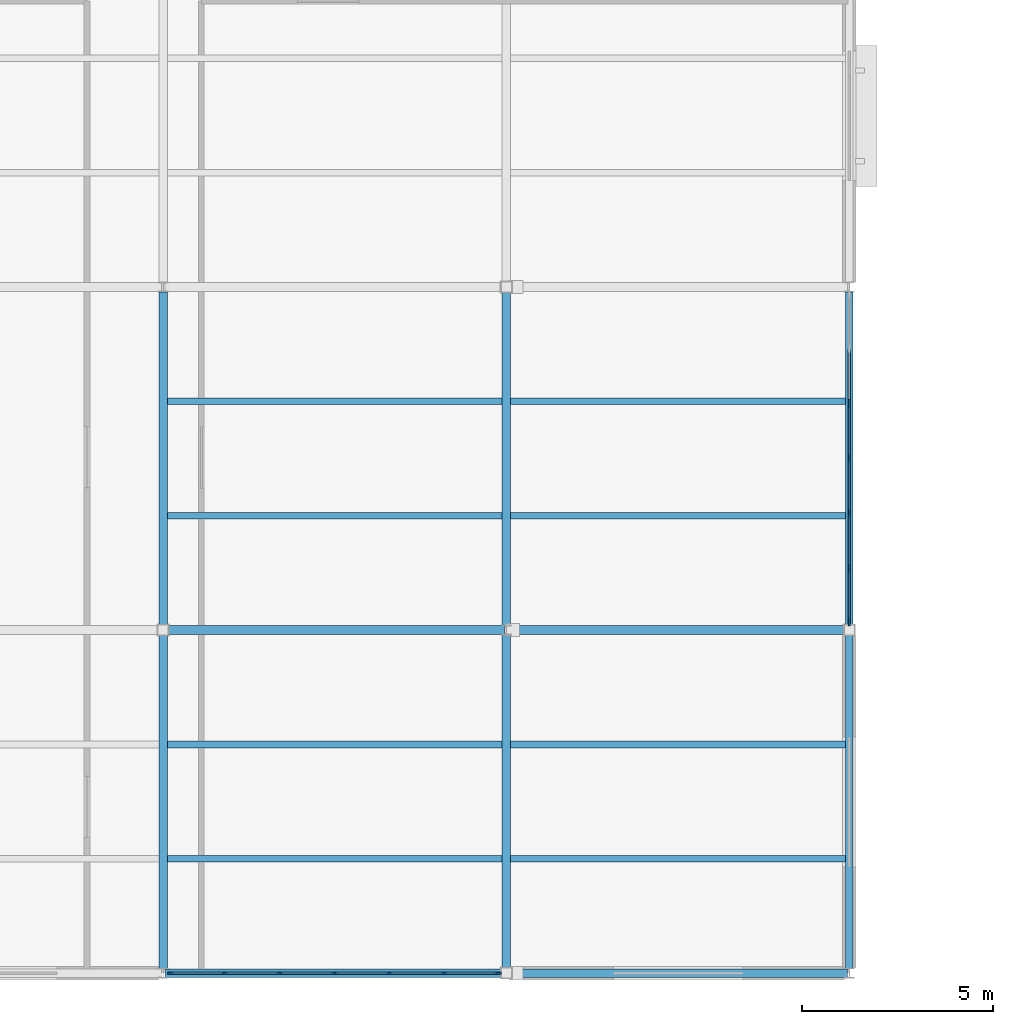
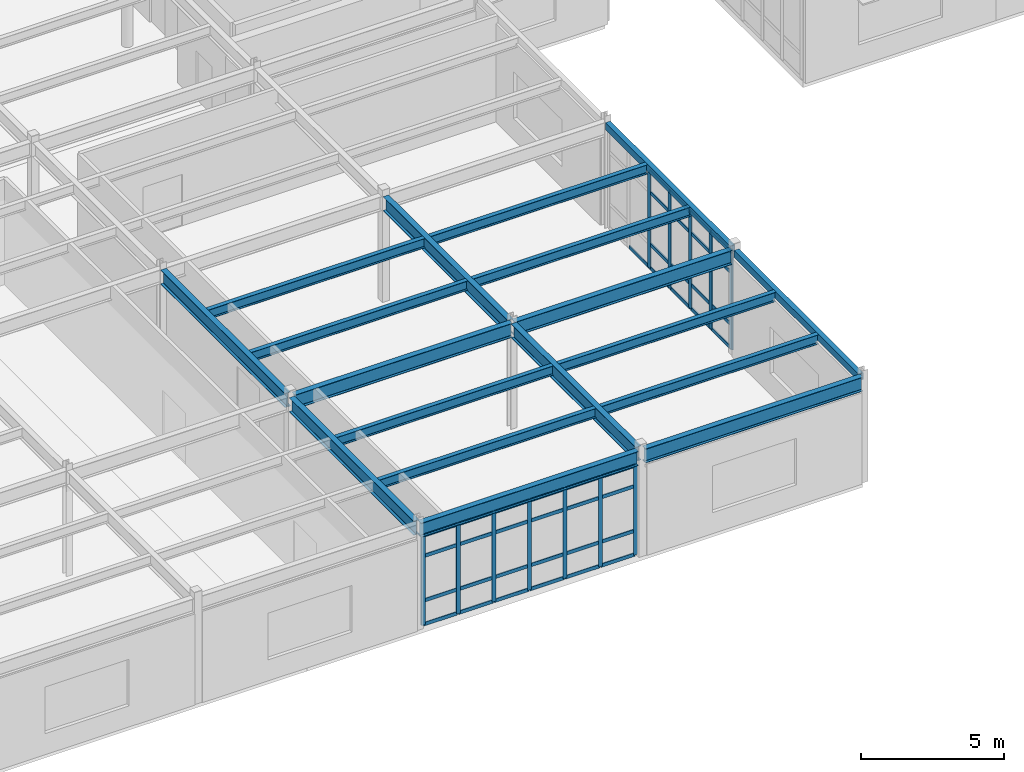
# One storey, part 26 of 84: 53 members, 18 beams, 2 elements without a shape of their own.
"""IFC4 building model written with IfcOpenShell, lengths in metres."""

from ifc_helpers import new_model, si_unit, direction, frame, origin, origin_2d, place, context, subcontext, project, spatial, rectangle, hollow_rectangle, i_section, extrude, material, material_profile, profile_set, type_object, element, aggregate, save


model = new_model("IFC4")

# Units and contexts
model_context = context("Model", 3, precision=1e-05, world=origin(), true_north=direction((0.0, 1.0)))
body_context = subcontext(model_context, "Body", "Model", "MODEL_VIEW")
ifc_project = project(units=[si_unit("LENGTHUNIT", "METRE"), si_unit("AREAUNIT", "SQUARE_METRE"), si_unit("VOLUMEUNIT", "CUBIC_METRE"), si_unit("PLANEANGLEUNIT", "RADIAN"), si_unit("MASSUNIT", "GRAM", prefix="KILO")], contexts=[model_context])

# Site, building, storey
site_placement = place(None, origin())
site = spatial("IfcSite", under=ifc_project, at=site_placement, CompositionType="ELEMENT")
building_placement = place(site_placement, origin())
building = spatial("IfcBuilding", under=site, at=building_placement, Name="Glasvene Arena", CompositionType="ELEMENT")
storey_placement = place(building_placement, frame((0.0, 0.0, 10.199951171875)))
storey = spatial("IfcBuildingStorey", under=building, at=storey_placement, Name="L02", CompositionType="ELEMENT", Elevation=10.199951171875)

# Beams
ifc_material_1 = material(Name="Steel S355J2", Category="steel")
ifc_material_profile_1 = material_profile(ifc_material_1, i_section(OverallWidth=0.228271484375, OverallDepth=0.607666015625, WebThickness=0.010986328125, FlangeThickness=0.017333984375, FilletRadius=0.0126953125, at=origin_2d()), Name="UKB 610x229x113")
ifc_profile_set_1 = profile_set([ifc_material_profile_1], Name="Steel S355J2")
beam_type_1 = type_object("IfcBeamType", Name="BM-GIRD-610", PredefinedType="BEAM", material=ifc_profile_set_1)
for number, where, z_axis, x_axis, name in (
    (1, (36.050048828125, 0.0, 4.21630859375), (1.0, 0.0, 0.0), (0.0, 1.0, 0.0), "Primary X girder L02-0783"),
    (2, (45.14501953125, 0.0, 4.21630859375), (1.0, 0.0, 0.0), (0.0, 1.0, 0.0), "Primary X girder L02-0784"),
    (3, (36.14501953125, 9.0, 4.21630859375), (1.0, 0.0, 0.0), (0.0, 1.0, 0.0), "Primary X girder L02-0789"),
    (4, (45.050048828125, 9.0, 4.21630859375), (1.0, 0.0, 0.0), (0.0, 1.0, 0.0), "Primary X girder L02-0790"),
):
    element("IfcBeam", number, at=place(storey_placement, frame(where, z_axis=z_axis, x_axis=x_axis)), inside=storey, type_object=beam_type_1, Name=name, PredefinedType="BEAM", context=body_context, shape_type="SweptSolid", body=[
        extrude(i_section(OverallWidth=0.228271484375, OverallDepth=0.607666015625, WebThickness=0.010986328125, FlangeThickness=0.017333984375, FilletRadius=0.0126953125, at=origin_2d()), origin(), (0.0, 0.0, 1.0), 8.804931640625),
    ])
beam_1_placement = place(storey_placement, frame((36.0, 0.125, 4.21630859375), z_axis=(0.0, 1.0, 0.0), x_axis=(-1.0, 0.0, 0.0)))
element("IfcBeam", 5, at=beam_1_placement, inside=storey, type_object=beam_type_1, Name="Primary Y girder L02-0863", PredefinedType="BEAM", context=body_context, shape_type="SweptSolid", body=[
    extrude(i_section(OverallWidth=0.228271484375, OverallDepth=0.607666015625, WebThickness=0.010986328125, FlangeThickness=0.017333984375, FilletRadius=0.0126953125, at=origin_2d()), origin(), (0.0, 0.0, 1.0), 8.72998046875),
])
beam_2_placement = place(storey_placement, frame((36.0, 9.14501953125, 4.21630859375), z_axis=(0.0, 1.0, 0.0), x_axis=(-1.0, 0.0, 0.0)))
element("IfcBeam", 6, at=beam_2_placement, inside=storey, type_object=beam_type_1, Name="Primary Y girder L02-0864", PredefinedType="BEAM", context=body_context, shape_type="SweptSolid", body=[
    extrude(i_section(OverallWidth=0.228271484375, OverallDepth=0.607666015625, WebThickness=0.010986328125, FlangeThickness=0.017333984375, FilletRadius=0.0126953125, at=origin_2d()), origin(), (0.0, 0.0, 1.0), 8.729736328125),
])
for number, where, z_axis, x_axis, name in (
    (7, (45.0, 0.14501953125, 4.21630859375), (0.0, 1.0, 0.0), (-1.0, 0.0, 0.0), "Primary Y girder L02-0869"),
    (8, (45.0, 9.125, 4.21630859375), (0.0, 1.0, 0.0), (-1.0, 0.0, 0.0), "Primary Y girder L02-0870"),
):
    element("IfcBeam", number, at=place(storey_placement, frame(where, z_axis=z_axis, x_axis=x_axis)), inside=storey, type_object=beam_type_1, Name=name, PredefinedType="BEAM", context=body_context, shape_type="SweptSolid", body=[
        extrude(i_section(OverallWidth=0.228271484375, OverallDepth=0.607666015625, WebThickness=0.010986328125, FlangeThickness=0.017333984375, FilletRadius=0.0126953125, at=origin_2d()), origin(), (0.0, 0.0, 1.0), 8.72998046875),
    ])
ifc_material_profile_2 = material_profile(ifc_material_1, i_section(OverallWidth=0.177978515625, OverallDepth=0.406494140625, WebThickness=0.0078125, FlangeThickness=0.0126953125, FilletRadius=0.01025390625, at=origin_2d()), Name="UKB 406x178x60")
ifc_profile_set_2 = profile_set([ifc_material_profile_2], Name="Steel S355J2")
beam_type_2 = type_object("IfcBeamType", Name="BM-JOIST-406", PredefinedType="JOIST", material=ifc_profile_set_2)
for number, where, z_axis, x_axis, name in (
    (9, (36.110107421875, 3.0, 4.31689453125), (1.0, 0.0, 0.0), (0.0, 1.0, 0.0), "Composite floor joist L02-0921"),
    (10, (36.110107421875, 6.0, 4.31689453125), (1.0, 0.0, 0.0), (0.0, 1.0, 0.0), "Composite floor joist L02-0922"),
    (11, (36.110107421875, 12.0, 4.31689453125), (1.0, 0.0, 0.0), (0.0, 1.0, 0.0), "Composite floor joist L02-0923"),
    (12, (36.110107421875, 15.0, 4.31689453125), (1.0, 0.0, 0.0), (0.0, 1.0, 0.0), "Composite floor joist L02-0924"),
):
    element("IfcBeam", number, at=place(storey_placement, frame(where, z_axis=z_axis, x_axis=x_axis)), inside=storey, type_object=beam_type_2, Name=name, PredefinedType="JOIST", context=body_context, shape_type="SweptSolid", body=[
        extrude(i_section(OverallWidth=0.177978515625, OverallDepth=0.406494140625, WebThickness=0.0078125, FlangeThickness=0.0126953125, FilletRadius=0.01025390625, at=origin_2d()), origin(), (0.0, 0.0, 1.0), 8.77978515625),
    ])
for number, where, z_axis, x_axis, name in (
    (13, (45.110107421875, 3.0, 4.31689453125), (1.0, 0.0, 0.0), (0.0, 1.0, 0.0), "Composite floor joist L02-0931"),
    (14, (45.110107421875, 6.0, 4.31689453125), (1.0, 0.0, 0.0), (0.0, 1.0, 0.0), "Composite floor joist L02-0932"),
    (15, (45.110107421875, 12.0, 4.31689453125), (1.0, 0.0, 0.0), (0.0, 1.0, 0.0), "Composite floor joist L02-0933"),
    (16, (45.110107421875, 15.0, 4.31689453125), (1.0, 0.0, 0.0), (0.0, 1.0, 0.0), "Composite floor joist L02-0934"),
):
    element("IfcBeam", number, at=place(storey_placement, frame(where, z_axis=z_axis, x_axis=x_axis)), inside=storey, type_object=beam_type_2, Name=name, PredefinedType="JOIST", context=body_context, shape_type="SweptSolid", body=[
        extrude(i_section(OverallWidth=0.177978515625, OverallDepth=0.406494140625, WebThickness=0.0078125, FlangeThickness=0.0126953125, FilletRadius=0.01025390625, at=origin_2d()), origin(), (0.0, 0.0, 1.0), 8.7939453125),
    ])
ifc_material_profile_3 = material_profile(ifc_material_1, hollow_rectangle(XDim=0.199951171875, YDim=0.300048828125, WallThickness=0.012451171875, at=origin_2d()), Name="RHS 300x200x12.5")
ifc_profile_set_3 = profile_set([ifc_material_profile_3], Name="Steel S355J2")
beam_type_3 = type_object("IfcBeamType", Name="BM-SPAND-300", PredefinedType="SPANDREL", material=ifc_profile_set_3)
beam_3_placement = place(storey_placement, frame((54.0, 0.125, 4.3701171875), z_axis=(0.0, 1.0, 0.0), x_axis=(-1.0, 0.0, 0.0)))
element("IfcBeam", 17, at=beam_3_placement, inside=storey, type_object=beam_type_3, Name="Primary Y girder L02-0874", PredefinedType="SPANDREL", context=body_context, shape_type="SweptSolid", body=[
    extrude(hollow_rectangle(XDim=0.199951171875, YDim=0.300048828125, WallThickness=0.012451171875, at=origin_2d()), origin(), (0.0, 0.0, 1.0), 8.72998046875),
])
beam_4_placement = place(storey_placement, frame((54.0, 9.14501953125, 4.3701171875), z_axis=(0.0, 1.0, 0.0), x_axis=(-1.0, 0.0, 0.0)))
element("IfcBeam", 18, at=beam_4_placement, inside=storey, type_object=beam_type_3, Name="Primary Y girder L02-0875", PredefinedType="SPANDREL", context=body_context, shape_type="SweptSolid", body=[
    extrude(hollow_rectangle(XDim=0.199951171875, YDim=0.300048828125, WallThickness=0.012451171875, at=origin_2d()), origin(), (0.0, 0.0, 1.0), 8.729736328125),
])

# Curtain wall, members
ifc_material_2 = material(Name="Low-emissivity laminated double glazing", Category="glass")
curtain_wall_type_1 = type_object("IfcCurtainWallType", Name="CW-FAC-L02-864x385", PredefinedType="USERDEFINED", material=ifc_material_2)
curtain_wall_1_placement = place(storey_placement, frame((44.80810546875, 0.0, 0.0)))
curtain_wall_1 = element("IfcCurtainWall", 19, at=curtain_wall_1_placement, inside=storey, type_object=curtain_wall_type_1, Name="Unitised curtain wall CW-F-L02-150-405-0-70", ObjectType="CURTAIN WALL", PredefinedType="USERDEFINED")
ifc_material_3 = material(Name="Anodised architectural aluminium", Category="aluminium")
ifc_material_profile_4 = material_profile(ifc_material_3, rectangle(XDim=0.050048828125, YDim=0.159912109375, at=origin_2d()), Name="ALU MULLION 50x160")
ifc_profile_set_4 = profile_set([ifc_material_profile_4], Name="Anodised architectural aluminium")
member_type_1 = type_object("IfcMemberType", Name="CW-MUL-150", PredefinedType="MULLION", material=ifc_profile_set_4)
member_1_placement = place(storey_placement, frame((44.782958984375, 0.0, 0.06005859375), z_axis=(0.0, 0.0, 1.0), x_axis=(0.0, -1.0, 0.0)))
member_1 = element("IfcMember", 20, at=member_1_placement, type_object=member_type_1, Name="CW-030 mullion 1", PredefinedType="MULLION", context=body_context, shape_type="SweptSolid", body=[
    extrude(rectangle(XDim=0.050048828125, YDim=0.159912109375, at=origin_2d()), origin(), (0.0, 0.0, 1.0), 3.846923828125),
])
member_2_placement = place(storey_placement, frame((43.368408203125, 0.0, 0.06005859375), z_axis=(0.0, 0.0, 1.0), x_axis=(0.0, -1.0, 0.0)))
member_2 = element("IfcMember", 21, at=member_2_placement, type_object=member_type_1, Name="CW-030 mullion 2", PredefinedType="MULLION", context=body_context, shape_type="SweptSolid", body=[
    extrude(rectangle(XDim=0.050048828125, YDim=0.159912109375, at=origin_2d()), origin(), (0.0, 0.0, 1.0), 3.846923828125),
])
member_3_placement = place(storey_placement, frame((41.9287109375, 0.0, 0.06005859375), z_axis=(0.0, 0.0, 1.0), x_axis=(0.0, -1.0, 0.0)))
member_3 = element("IfcMember", 22, at=member_3_placement, type_object=member_type_1, Name="CW-030 mullion 3", PredefinedType="MULLION", context=body_context, shape_type="SweptSolid", body=[
    extrude(rectangle(XDim=0.050048828125, YDim=0.159912109375, at=origin_2d()), origin(), (0.0, 0.0, 1.0), 3.846923828125),
])
member_4_placement = place(storey_placement, frame((40.489013671875, 0.0, 0.06005859375), z_axis=(0.0, 0.0, 1.0), x_axis=(0.0, -1.0, 0.0)))
member_4 = element("IfcMember", 23, at=member_4_placement, type_object=member_type_1, Name="CW-030 mullion 4", PredefinedType="MULLION", context=body_context, shape_type="SweptSolid", body=[
    extrude(rectangle(XDim=0.050048828125, YDim=0.159912109375, at=origin_2d()), origin(), (0.0, 0.0, 1.0), 3.846923828125),
])
member_5_placement = place(storey_placement, frame((39.049560546875, 0.0, 0.06005859375), z_axis=(0.0, 0.0, 1.0), x_axis=(0.0, -1.0, 0.0)))
member_5 = element("IfcMember", 24, at=member_5_placement, type_object=member_type_1, Name="CW-030 mullion 5", PredefinedType="MULLION", context=body_context, shape_type="SweptSolid", body=[
    extrude(rectangle(XDim=0.050048828125, YDim=0.159912109375, at=origin_2d()), origin(), (0.0, 0.0, 1.0), 3.846923828125),
])
member_6_placement = place(storey_placement, frame((37.60986328125, 0.0, 0.06005859375), z_axis=(0.0, 0.0, 1.0), x_axis=(0.0, -1.0, 0.0)))
member_6 = element("IfcMember", 25, at=member_6_placement, type_object=member_type_1, Name="CW-030 mullion 6", PredefinedType="MULLION", context=body_context, shape_type="SweptSolid", body=[
    extrude(rectangle(XDim=0.050048828125, YDim=0.159912109375, at=origin_2d()), origin(), (0.0, 0.0, 1.0), 3.846923828125),
])
member_7_placement = place(storey_placement, frame((36.1953125, 0.0, 0.06005859375), z_axis=(0.0, 0.0, 1.0), x_axis=(0.0, -1.0, 0.0)))
member_7 = element("IfcMember", 26, at=member_7_placement, type_object=member_type_1, Name="CW-030 mullion 7", PredefinedType="MULLION", context=body_context, shape_type="SweptSolid", body=[
    extrude(rectangle(XDim=0.050048828125, YDim=0.159912109375, at=origin_2d()), origin(), (0.0, 0.0, 1.0), 3.846923828125),
])

curtain_wall_type_2 = type_object("IfcCurtainWallType", Name="CW-FAC-L02-864x416", PredefinedType="USERDEFINED", material=ifc_material_2)
curtain_wall_2_placement = place(storey_placement, frame((54.0, 17.827880859375, 0.0)))
curtain_wall_2 = element("IfcCurtainWall", 27, at=curtain_wall_2_placement, inside=storey, type_object=curtain_wall_type_2, Name="Unitised curtain wall CW-F-L02-180-540-135-67", ObjectType="CURTAIN WALL", PredefinedType="USERDEFINED")
ifc_material_profile_5 = material_profile(ifc_material_3, rectangle(XDim=0.050048828125, YDim=0.199951171875, at=origin_2d()), Name="ALU MULLION 50x200")
ifc_profile_set_5 = profile_set([ifc_material_profile_5], Name="Anodised architectural aluminium")
member_type_2 = type_object("IfcMemberType", Name="CW-MUL-180", PredefinedType="MULLION", material=ifc_profile_set_5)
member_8_placement = place(storey_placement, frame((54.0, 14.94921875, 0.06005859375), z_axis=(0.0, 0.0, 1.0), x_axis=(1.0, 0.0, 0.0)))
member_8 = element("IfcMember", 28, at=member_8_placement, type_object=member_type_2, Name="CW-029 mullion 3", PredefinedType="MULLION", context=body_context, shape_type="SweptSolid", body=[
    extrude(rectangle(XDim=0.050048828125, YDim=0.199951171875, at=origin_2d()), origin(), (0.0, 0.0, 1.0), 4.155029296875),
])
member_9_placement = place(storey_placement, frame((54.0, 13.510009765625, 0.06005859375), z_axis=(0.0, 0.0, 1.0), x_axis=(1.0, 0.0, 0.0)))
member_9 = element("IfcMember", 29, at=member_9_placement, type_object=member_type_2, Name="CW-029 mullion 4", PredefinedType="MULLION", context=body_context, shape_type="SweptSolid", body=[
    extrude(rectangle(XDim=0.050048828125, YDim=0.199951171875, at=origin_2d()), origin(), (0.0, 0.0, 1.0), 4.155029296875),
])
member_10_placement = place(storey_placement, frame((54.0, 12.070556640625, 0.06005859375), z_axis=(0.0, 0.0, 1.0), x_axis=(1.0, 0.0, 0.0)))
member_10 = element("IfcMember", 30, at=member_10_placement, type_object=member_type_2, Name="CW-029 mullion 5", PredefinedType="MULLION", context=body_context, shape_type="SweptSolid", body=[
    extrude(rectangle(XDim=0.050048828125, YDim=0.199951171875, at=origin_2d()), origin(), (0.0, 0.0, 1.0), 4.155029296875),
])
member_11_placement = place(storey_placement, frame((54.0, 10.63134765625, 0.06005859375), z_axis=(0.0, 0.0, 1.0), x_axis=(1.0, 0.0, 0.0)))
member_11 = element("IfcMember", 31, at=member_11_placement, type_object=member_type_2, Name="CW-029 mullion 6", PredefinedType="MULLION", context=body_context, shape_type="SweptSolid", body=[
    extrude(rectangle(XDim=0.050048828125, YDim=0.199951171875, at=origin_2d()), origin(), (0.0, 0.0, 1.0), 4.155029296875),
])
member_12_placement = place(storey_placement, frame((54.0, 9.217041015625, 0.06005859375), z_axis=(0.0, 0.0, 1.0), x_axis=(1.0, 0.0, 0.0)))
member_12 = element("IfcMember", 32, at=member_12_placement, type_object=member_type_2, Name="CW-029 mullion 7", PredefinedType="MULLION", context=body_context, shape_type="SweptSolid", body=[
    extrude(rectangle(XDim=0.050048828125, YDim=0.199951171875, at=origin_2d()), origin(), (0.0, 0.0, 1.0), 4.155029296875),
])
ifc_material_profile_6 = material_profile(ifc_material_3, rectangle(XDim=0.050048828125, YDim=0.14990234375, at=origin_2d()), Name="ALU TRANSOM 50x150")
ifc_profile_set_6 = profile_set([ifc_material_profile_6], Name="Anodised architectural aluminium")
member_type_3 = type_object("IfcMemberType", Name="CW-TRN-150", PredefinedType="USERDEFINED", material=ifc_profile_set_6)
member_13_placement = place(storey_placement, frame((54.0, 16.363525390625, 0.0849609375), z_axis=(0.0, -1.0, 0.0), x_axis=(1.0, 0.0, 0.0)))
member_13 = element("IfcMember", 33, at=member_13_placement, type_object=member_type_3, Name="CW-029 transom 2.1", ObjectType="TRANSOM", PredefinedType="USERDEFINED", context=body_context, shape_type="SweptSolid", body=[
    extrude(rectangle(XDim=0.050048828125, YDim=0.14990234375, at=origin_2d()), origin(), (0.0, 0.0, 1.0), 1.38916015625),
])
member_14_placement = place(storey_placement, frame((54.0, 14.92431640625, 0.0849609375), z_axis=(0.0, -1.0, 0.0), x_axis=(1.0, 0.0, 0.0)))
member_14 = element("IfcMember", 34, at=member_14_placement, type_object=member_type_3, Name="CW-029 transom 3.1", ObjectType="TRANSOM", PredefinedType="USERDEFINED", context=body_context, shape_type="SweptSolid", body=[
    extrude(rectangle(XDim=0.050048828125, YDim=0.14990234375, at=origin_2d()), origin(), (0.0, 0.0, 1.0), 1.389404296875),
])
member_15_placement = place(storey_placement, frame((54.0, 14.92431640625, 1.10009765625), z_axis=(0.0, -1.0, 0.0), x_axis=(1.0, 0.0, 0.0)))
member_15 = element("IfcMember", 35, at=member_15_placement, type_object=member_type_3, Name="CW-029 transom 3.2", ObjectType="TRANSOM", PredefinedType="USERDEFINED", context=body_context, shape_type="SweptSolid", body=[
    extrude(rectangle(XDim=0.050048828125, YDim=0.14990234375, at=origin_2d()), origin(), (0.0, 0.0, 1.0), 1.389404296875),
])
member_16_placement = place(storey_placement, frame((54.0, 14.92431640625, 3.31494140625), z_axis=(0.0, -1.0, 0.0), x_axis=(1.0, 0.0, 0.0)))
member_16 = element("IfcMember", 36, at=member_16_placement, type_object=member_type_3, Name="CW-029 transom 3.3", ObjectType="TRANSOM", PredefinedType="USERDEFINED", context=body_context, shape_type="SweptSolid", body=[
    extrude(rectangle(XDim=0.050048828125, YDim=0.14990234375, at=origin_2d()), origin(), (0.0, 0.0, 1.0), 1.389404296875),
])
member_17_placement = place(storey_placement, frame((54.0, 14.92431640625, 4.18994140625), z_axis=(0.0, -1.0, 0.0), x_axis=(1.0, 0.0, 0.0)))
member_17 = element("IfcMember", 37, at=member_17_placement, type_object=member_type_3, Name="CW-029 transom 3.4", ObjectType="TRANSOM", PredefinedType="USERDEFINED", context=body_context, shape_type="SweptSolid", body=[
    extrude(rectangle(XDim=0.050048828125, YDim=0.14990234375, at=origin_2d()), origin(), (0.0, 0.0, 1.0), 1.389404296875),
])
member_18_placement = place(storey_placement, frame((54.0, 13.48486328125, 0.0849609375), z_axis=(0.0, -1.0, 0.0), x_axis=(1.0, 0.0, 0.0)))
member_18 = element("IfcMember", 38, at=member_18_placement, type_object=member_type_3, Name="CW-029 transom 4.1", ObjectType="TRANSOM", PredefinedType="USERDEFINED", context=body_context, shape_type="SweptSolid", body=[
    extrude(rectangle(XDim=0.050048828125, YDim=0.14990234375, at=origin_2d()), origin(), (0.0, 0.0, 1.0), 1.38916015625),
])
member_19_placement = place(storey_placement, frame((54.0, 13.48486328125, 1.10009765625), z_axis=(0.0, -1.0, 0.0), x_axis=(1.0, 0.0, 0.0)))
member_19 = element("IfcMember", 39, at=member_19_placement, type_object=member_type_3, Name="CW-029 transom 4.2", ObjectType="TRANSOM", PredefinedType="USERDEFINED", context=body_context, shape_type="SweptSolid", body=[
    extrude(rectangle(XDim=0.050048828125, YDim=0.14990234375, at=origin_2d()), origin(), (0.0, 0.0, 1.0), 1.38916015625),
])
member_20_placement = place(storey_placement, frame((54.0, 13.48486328125, 3.31494140625), z_axis=(0.0, -1.0, 0.0), x_axis=(1.0, 0.0, 0.0)))
member_20 = element("IfcMember", 40, at=member_20_placement, type_object=member_type_3, Name="CW-029 transom 4.3", ObjectType="TRANSOM", PredefinedType="USERDEFINED", context=body_context, shape_type="SweptSolid", body=[
    extrude(rectangle(XDim=0.050048828125, YDim=0.14990234375, at=origin_2d()), origin(), (0.0, 0.0, 1.0), 1.38916015625),
])
member_21_placement = place(storey_placement, frame((54.0, 13.48486328125, 4.18994140625), z_axis=(0.0, -1.0, 0.0), x_axis=(1.0, 0.0, 0.0)))
member_21 = element("IfcMember", 41, at=member_21_placement, type_object=member_type_3, Name="CW-029 transom 4.4", ObjectType="TRANSOM", PredefinedType="USERDEFINED", context=body_context, shape_type="SweptSolid", body=[
    extrude(rectangle(XDim=0.050048828125, YDim=0.14990234375, at=origin_2d()), origin(), (0.0, 0.0, 1.0), 1.38916015625),
])
member_22_placement = place(storey_placement, frame((54.0, 12.045654296875, 0.0849609375), z_axis=(0.0, -1.0, 0.0), x_axis=(1.0, 0.0, 0.0)))
member_22 = element("IfcMember", 42, at=member_22_placement, type_object=member_type_3, Name="CW-029 transom 5.1", ObjectType="TRANSOM", PredefinedType="USERDEFINED", context=body_context, shape_type="SweptSolid", body=[
    extrude(rectangle(XDim=0.050048828125, YDim=0.14990234375, at=origin_2d()), origin(), (0.0, 0.0, 1.0), 1.389404296875),
])
member_23_placement = place(storey_placement, frame((54.0, 12.045654296875, 1.10009765625), z_axis=(0.0, -1.0, 0.0), x_axis=(1.0, 0.0, 0.0)))
member_23 = element("IfcMember", 43, at=member_23_placement, type_object=member_type_3, Name="CW-029 transom 5.2", ObjectType="TRANSOM", PredefinedType="USERDEFINED", context=body_context, shape_type="SweptSolid", body=[
    extrude(rectangle(XDim=0.050048828125, YDim=0.14990234375, at=origin_2d()), origin(), (0.0, 0.0, 1.0), 1.389404296875),
])
member_24_placement = place(storey_placement, frame((54.0, 12.045654296875, 3.31494140625), z_axis=(0.0, -1.0, 0.0), x_axis=(1.0, 0.0, 0.0)))
member_24 = element("IfcMember", 44, at=member_24_placement, type_object=member_type_3, Name="CW-029 transom 5.3", ObjectType="TRANSOM", PredefinedType="USERDEFINED", context=body_context, shape_type="SweptSolid", body=[
    extrude(rectangle(XDim=0.050048828125, YDim=0.14990234375, at=origin_2d()), origin(), (0.0, 0.0, 1.0), 1.389404296875),
])
member_25_placement = place(storey_placement, frame((54.0, 12.045654296875, 4.18994140625), z_axis=(0.0, -1.0, 0.0), x_axis=(1.0, 0.0, 0.0)))
member_25 = element("IfcMember", 45, at=member_25_placement, type_object=member_type_3, Name="CW-029 transom 5.4", ObjectType="TRANSOM", PredefinedType="USERDEFINED", context=body_context, shape_type="SweptSolid", body=[
    extrude(rectangle(XDim=0.050048828125, YDim=0.14990234375, at=origin_2d()), origin(), (0.0, 0.0, 1.0), 1.389404296875),
])
member_26_placement = place(storey_placement, frame((54.0, 10.606201171875, 0.0849609375), z_axis=(0.0, -1.0, 0.0), x_axis=(1.0, 0.0, 0.0)))
member_26 = element("IfcMember", 46, at=member_26_placement, type_object=member_type_3, Name="CW-029 transom 6.1", ObjectType="TRANSOM", PredefinedType="USERDEFINED", context=body_context, shape_type="SweptSolid", body=[
    extrude(rectangle(XDim=0.050048828125, YDim=0.14990234375, at=origin_2d()), origin(), (0.0, 0.0, 1.0), 1.3642578125),
])
member_27_placement = place(storey_placement, frame((54.0, 10.606201171875, 1.10009765625), z_axis=(0.0, -1.0, 0.0), x_axis=(1.0, 0.0, 0.0)))
member_27 = element("IfcMember", 47, at=member_27_placement, type_object=member_type_3, Name="CW-029 transom 6.2", ObjectType="TRANSOM", PredefinedType="USERDEFINED", context=body_context, shape_type="SweptSolid", body=[
    extrude(rectangle(XDim=0.050048828125, YDim=0.14990234375, at=origin_2d()), origin(), (0.0, 0.0, 1.0), 1.3642578125),
])
member_28_placement = place(storey_placement, frame((54.0, 10.606201171875, 3.31494140625), z_axis=(0.0, -1.0, 0.0), x_axis=(1.0, 0.0, 0.0)))
member_28 = element("IfcMember", 48, at=member_28_placement, type_object=member_type_3, Name="CW-029 transom 6.3", ObjectType="TRANSOM", PredefinedType="USERDEFINED", context=body_context, shape_type="SweptSolid", body=[
    extrude(rectangle(XDim=0.050048828125, YDim=0.14990234375, at=origin_2d()), origin(), (0.0, 0.0, 1.0), 1.3642578125),
])
member_29_placement = place(storey_placement, frame((54.0, 10.606201171875, 4.18994140625), z_axis=(0.0, -1.0, 0.0), x_axis=(1.0, 0.0, 0.0)))
member_29 = element("IfcMember", 49, at=member_29_placement, type_object=member_type_3, Name="CW-029 transom 6.4", ObjectType="TRANSOM", PredefinedType="USERDEFINED", context=body_context, shape_type="SweptSolid", body=[
    extrude(rectangle(XDim=0.050048828125, YDim=0.14990234375, at=origin_2d()), origin(), (0.0, 0.0, 1.0), 1.3642578125),
])
aggregate(curtain_wall_2, [member_8, member_9, member_10, member_11, member_12, member_13, member_14, member_15, member_16, member_17, member_18, member_19, member_20, member_21, member_22, member_23, member_24, member_25, member_26, member_27, member_28, member_29])

# Member
member_30_placement = place(storey_placement, frame((44.758056640625, 0.0, 0.0849609375), z_axis=(-1.0, 0.0, 0.0), x_axis=(0.0, -1.0, 0.0)))
member_30 = element("IfcMember", 50, at=member_30_placement, type_object=member_type_3, Name="CW-030 transom 1.1", ObjectType="TRANSOM", PredefinedType="USERDEFINED", context=body_context, shape_type="SweptSolid", body=[
    extrude(rectangle(XDim=0.050048828125, YDim=0.14990234375, at=origin_2d()), origin(), (0.0, 0.0, 1.0), 1.36474609375),
])

member_31_placement = place(storey_placement, frame((44.758056640625, 0.0, 1.10009765625), z_axis=(-1.0, 0.0, 0.0), x_axis=(0.0, -1.0, 0.0)))
member_31 = element("IfcMember", 51, at=member_31_placement, type_object=member_type_3, Name="CW-030 transom 1.2", ObjectType="TRANSOM", PredefinedType="USERDEFINED", context=body_context, shape_type="SweptSolid", body=[
    extrude(rectangle(XDim=0.050048828125, YDim=0.14990234375, at=origin_2d()), origin(), (0.0, 0.0, 1.0), 1.36474609375),
])

member_32_placement = place(storey_placement, frame((44.758056640625, 0.0, 3.007080078125), z_axis=(-1.0, 0.0, 0.0), x_axis=(0.0, -1.0, 0.0)))
member_32 = element("IfcMember", 52, at=member_32_placement, type_object=member_type_3, Name="CW-030 transom 1.3", ObjectType="TRANSOM", PredefinedType="USERDEFINED", context=body_context, shape_type="SweptSolid", body=[
    extrude(rectangle(XDim=0.050048828125, YDim=0.14990234375, at=origin_2d()), origin(), (0.0, 0.0, 1.0), 1.36474609375),
])

member_33_placement = place(storey_placement, frame((44.758056640625, 0.0, 3.882080078125), z_axis=(-1.0, 0.0, 0.0), x_axis=(0.0, -1.0, 0.0)))
member_33 = element("IfcMember", 53, at=member_33_placement, type_object=member_type_3, Name="CW-030 transom 1.4", ObjectType="TRANSOM", PredefinedType="USERDEFINED", context=body_context, shape_type="SweptSolid", body=[
    extrude(rectangle(XDim=0.050048828125, YDim=0.14990234375, at=origin_2d()), origin(), (0.0, 0.0, 1.0), 1.36474609375),
])

member_34_placement = place(storey_placement, frame((43.34326171875, 0.0, 0.0849609375), z_axis=(-1.0, 0.0, 0.0), x_axis=(0.0, -1.0, 0.0)))
member_34 = element("IfcMember", 54, at=member_34_placement, type_object=member_type_3, Name="CW-030 transom 2.1", ObjectType="TRANSOM", PredefinedType="USERDEFINED", context=body_context, shape_type="SweptSolid", body=[
    extrude(rectangle(XDim=0.050048828125, YDim=0.14990234375, at=origin_2d()), origin(), (0.0, 0.0, 1.0), 1.3896484375),
])

member_35_placement = place(storey_placement, frame((43.34326171875, 0.0, 1.10009765625), z_axis=(-1.0, 0.0, 0.0), x_axis=(0.0, -1.0, 0.0)))
member_35 = element("IfcMember", 55, at=member_35_placement, type_object=member_type_3, Name="CW-030 transom 2.2", ObjectType="TRANSOM", PredefinedType="USERDEFINED", context=body_context, shape_type="SweptSolid", body=[
    extrude(rectangle(XDim=0.050048828125, YDim=0.14990234375, at=origin_2d()), origin(), (0.0, 0.0, 1.0), 1.3896484375),
])

member_36_placement = place(storey_placement, frame((43.34326171875, 0.0, 3.007080078125), z_axis=(-1.0, 0.0, 0.0), x_axis=(0.0, -1.0, 0.0)))
member_36 = element("IfcMember", 56, at=member_36_placement, type_object=member_type_3, Name="CW-030 transom 2.3", ObjectType="TRANSOM", PredefinedType="USERDEFINED", context=body_context, shape_type="SweptSolid", body=[
    extrude(rectangle(XDim=0.050048828125, YDim=0.14990234375, at=origin_2d()), origin(), (0.0, 0.0, 1.0), 1.3896484375),
])

member_37_placement = place(storey_placement, frame((43.34326171875, 0.0, 3.882080078125), z_axis=(-1.0, 0.0, 0.0), x_axis=(0.0, -1.0, 0.0)))
member_37 = element("IfcMember", 57, at=member_37_placement, type_object=member_type_3, Name="CW-030 transom 2.4", ObjectType="TRANSOM", PredefinedType="USERDEFINED", context=body_context, shape_type="SweptSolid", body=[
    extrude(rectangle(XDim=0.050048828125, YDim=0.14990234375, at=origin_2d()), origin(), (0.0, 0.0, 1.0), 1.3896484375),
])

member_38_placement = place(storey_placement, frame((41.90380859375, 0.0, 0.0849609375), z_axis=(-1.0, 0.0, 0.0), x_axis=(0.0, -1.0, 0.0)))
member_38 = element("IfcMember", 58, at=member_38_placement, type_object=member_type_3, Name="CW-030 transom 3.1", ObjectType="TRANSOM", PredefinedType="USERDEFINED", context=body_context, shape_type="SweptSolid", body=[
    extrude(rectangle(XDim=0.050048828125, YDim=0.14990234375, at=origin_2d()), origin(), (0.0, 0.0, 1.0), 1.3896484375),
])

member_39_placement = place(storey_placement, frame((41.90380859375, 0.0, 1.10009765625), z_axis=(-1.0, 0.0, 0.0), x_axis=(0.0, -1.0, 0.0)))
member_39 = element("IfcMember", 59, at=member_39_placement, type_object=member_type_3, Name="CW-030 transom 3.2", ObjectType="TRANSOM", PredefinedType="USERDEFINED", context=body_context, shape_type="SweptSolid", body=[
    extrude(rectangle(XDim=0.050048828125, YDim=0.14990234375, at=origin_2d()), origin(), (0.0, 0.0, 1.0), 1.3896484375),
])

member_40_placement = place(storey_placement, frame((41.90380859375, 0.0, 3.007080078125), z_axis=(-1.0, 0.0, 0.0), x_axis=(0.0, -1.0, 0.0)))
member_40 = element("IfcMember", 60, at=member_40_placement, type_object=member_type_3, Name="CW-030 transom 3.3", ObjectType="TRANSOM", PredefinedType="USERDEFINED", context=body_context, shape_type="SweptSolid", body=[
    extrude(rectangle(XDim=0.050048828125, YDim=0.14990234375, at=origin_2d()), origin(), (0.0, 0.0, 1.0), 1.3896484375),
])

member_41_placement = place(storey_placement, frame((41.90380859375, 0.0, 3.882080078125), z_axis=(-1.0, 0.0, 0.0), x_axis=(0.0, -1.0, 0.0)))
member_41 = element("IfcMember", 61, at=member_41_placement, type_object=member_type_3, Name="CW-030 transom 3.4", ObjectType="TRANSOM", PredefinedType="USERDEFINED", context=body_context, shape_type="SweptSolid", body=[
    extrude(rectangle(XDim=0.050048828125, YDim=0.14990234375, at=origin_2d()), origin(), (0.0, 0.0, 1.0), 1.3896484375),
])

member_42_placement = place(storey_placement, frame((40.464111328125, 0.0, 0.0849609375), z_axis=(-1.0, 0.0, 0.0), x_axis=(0.0, -1.0, 0.0)))
member_42 = element("IfcMember", 62, at=member_42_placement, type_object=member_type_3, Name="CW-030 transom 4.1", ObjectType="TRANSOM", PredefinedType="USERDEFINED", context=body_context, shape_type="SweptSolid", body=[
    extrude(rectangle(XDim=0.050048828125, YDim=0.14990234375, at=origin_2d()), origin(), (0.0, 0.0, 1.0), 1.3896484375),
])

member_43_placement = place(storey_placement, frame((40.464111328125, 0.0, 1.10009765625), z_axis=(-1.0, 0.0, 0.0), x_axis=(0.0, -1.0, 0.0)))
member_43 = element("IfcMember", 63, at=member_43_placement, type_object=member_type_3, Name="CW-030 transom 4.2", ObjectType="TRANSOM", PredefinedType="USERDEFINED", context=body_context, shape_type="SweptSolid", body=[
    extrude(rectangle(XDim=0.050048828125, YDim=0.14990234375, at=origin_2d()), origin(), (0.0, 0.0, 1.0), 1.3896484375),
])

member_44_placement = place(storey_placement, frame((40.464111328125, 0.0, 3.007080078125), z_axis=(-1.0, 0.0, 0.0), x_axis=(0.0, -1.0, 0.0)))
member_44 = element("IfcMember", 64, at=member_44_placement, type_object=member_type_3, Name="CW-030 transom 4.3", ObjectType="TRANSOM", PredefinedType="USERDEFINED", context=body_context, shape_type="SweptSolid", body=[
    extrude(rectangle(XDim=0.050048828125, YDim=0.14990234375, at=origin_2d()), origin(), (0.0, 0.0, 1.0), 1.3896484375),
])

member_45_placement = place(storey_placement, frame((40.464111328125, 0.0, 3.882080078125), z_axis=(-1.0, 0.0, 0.0), x_axis=(0.0, -1.0, 0.0)))
member_45 = element("IfcMember", 65, at=member_45_placement, type_object=member_type_3, Name="CW-030 transom 4.4", ObjectType="TRANSOM", PredefinedType="USERDEFINED", context=body_context, shape_type="SweptSolid", body=[
    extrude(rectangle(XDim=0.050048828125, YDim=0.14990234375, at=origin_2d()), origin(), (0.0, 0.0, 1.0), 1.3896484375),
])

member_46_placement = place(storey_placement, frame((39.0244140625, 0.0, 0.0849609375), z_axis=(-1.0, 0.0, 0.0), x_axis=(0.0, -1.0, 0.0)))
member_46 = element("IfcMember", 66, at=member_46_placement, type_object=member_type_3, Name="CW-030 transom 5.1", ObjectType="TRANSOM", PredefinedType="USERDEFINED", context=body_context, shape_type="SweptSolid", body=[
    extrude(rectangle(XDim=0.050048828125, YDim=0.14990234375, at=origin_2d()), origin(), (0.0, 0.0, 1.0), 1.3896484375),
])

member_47_placement = place(storey_placement, frame((39.0244140625, 0.0, 1.10009765625), z_axis=(-1.0, 0.0, 0.0), x_axis=(0.0, -1.0, 0.0)))
member_47 = element("IfcMember", 67, at=member_47_placement, type_object=member_type_3, Name="CW-030 transom 5.2", ObjectType="TRANSOM", PredefinedType="USERDEFINED", context=body_context, shape_type="SweptSolid", body=[
    extrude(rectangle(XDim=0.050048828125, YDim=0.14990234375, at=origin_2d()), origin(), (0.0, 0.0, 1.0), 1.3896484375),
])

member_48_placement = place(storey_placement, frame((39.0244140625, 0.0, 3.007080078125), z_axis=(-1.0, 0.0, 0.0), x_axis=(0.0, -1.0, 0.0)))
member_48 = element("IfcMember", 68, at=member_48_placement, type_object=member_type_3, Name="CW-030 transom 5.3", ObjectType="TRANSOM", PredefinedType="USERDEFINED", context=body_context, shape_type="SweptSolid", body=[
    extrude(rectangle(XDim=0.050048828125, YDim=0.14990234375, at=origin_2d()), origin(), (0.0, 0.0, 1.0), 1.3896484375),
])

member_49_placement = place(storey_placement, frame((39.0244140625, 0.0, 3.882080078125), z_axis=(-1.0, 0.0, 0.0), x_axis=(0.0, -1.0, 0.0)))
member_49 = element("IfcMember", 69, at=member_49_placement, type_object=member_type_3, Name="CW-030 transom 5.4", ObjectType="TRANSOM", PredefinedType="USERDEFINED", context=body_context, shape_type="SweptSolid", body=[
    extrude(rectangle(XDim=0.050048828125, YDim=0.14990234375, at=origin_2d()), origin(), (0.0, 0.0, 1.0), 1.3896484375),
])

member_50_placement = place(storey_placement, frame((37.584716796875, 0.0, 0.0849609375), z_axis=(-1.0, 0.0, 0.0), x_axis=(0.0, -1.0, 0.0)))
member_50 = element("IfcMember", 70, at=member_50_placement, type_object=member_type_3, Name="CW-030 transom 6.1", ObjectType="TRANSOM", PredefinedType="USERDEFINED", context=body_context, shape_type="SweptSolid", body=[
    extrude(rectangle(XDim=0.050048828125, YDim=0.14990234375, at=origin_2d()), origin(), (0.0, 0.0, 1.0), 1.364501953125),
])

member_51_placement = place(storey_placement, frame((37.584716796875, 0.0, 1.10009765625), z_axis=(-1.0, 0.0, 0.0), x_axis=(0.0, -1.0, 0.0)))
member_51 = element("IfcMember", 71, at=member_51_placement, type_object=member_type_3, Name="CW-030 transom 6.2", ObjectType="TRANSOM", PredefinedType="USERDEFINED", context=body_context, shape_type="SweptSolid", body=[
    extrude(rectangle(XDim=0.050048828125, YDim=0.14990234375, at=origin_2d()), origin(), (0.0, 0.0, 1.0), 1.364501953125),
])

member_52_placement = place(storey_placement, frame((37.584716796875, 0.0, 3.007080078125), z_axis=(-1.0, 0.0, 0.0), x_axis=(0.0, -1.0, 0.0)))
member_52 = element("IfcMember", 72, at=member_52_placement, type_object=member_type_3, Name="CW-030 transom 6.3", ObjectType="TRANSOM", PredefinedType="USERDEFINED", context=body_context, shape_type="SweptSolid", body=[
    extrude(rectangle(XDim=0.050048828125, YDim=0.14990234375, at=origin_2d()), origin(), (0.0, 0.0, 1.0), 1.364501953125),
])

member_53_placement = place(storey_placement, frame((37.584716796875, 0.0, 3.882080078125), z_axis=(-1.0, 0.0, 0.0), x_axis=(0.0, -1.0, 0.0)))
member_53 = element("IfcMember", 73, at=member_53_placement, type_object=member_type_3, Name="CW-030 transom 6.4", ObjectType="TRANSOM", PredefinedType="USERDEFINED", context=body_context, shape_type="SweptSolid", body=[
    extrude(rectangle(XDim=0.050048828125, YDim=0.14990234375, at=origin_2d()), origin(), (0.0, 0.0, 1.0), 1.364501953125),
])

aggregate(curtain_wall_1, [member_1, member_2, member_3, member_4, member_5, member_6, member_7, member_30, member_31, member_32, member_33, member_34, member_35, member_36, member_37, member_38, member_39, member_40, member_41, member_42, member_43, member_44, member_45, member_46, member_47, member_48, member_49, member_50, member_51, member_52, member_53])

save(model, "model.ifc")
